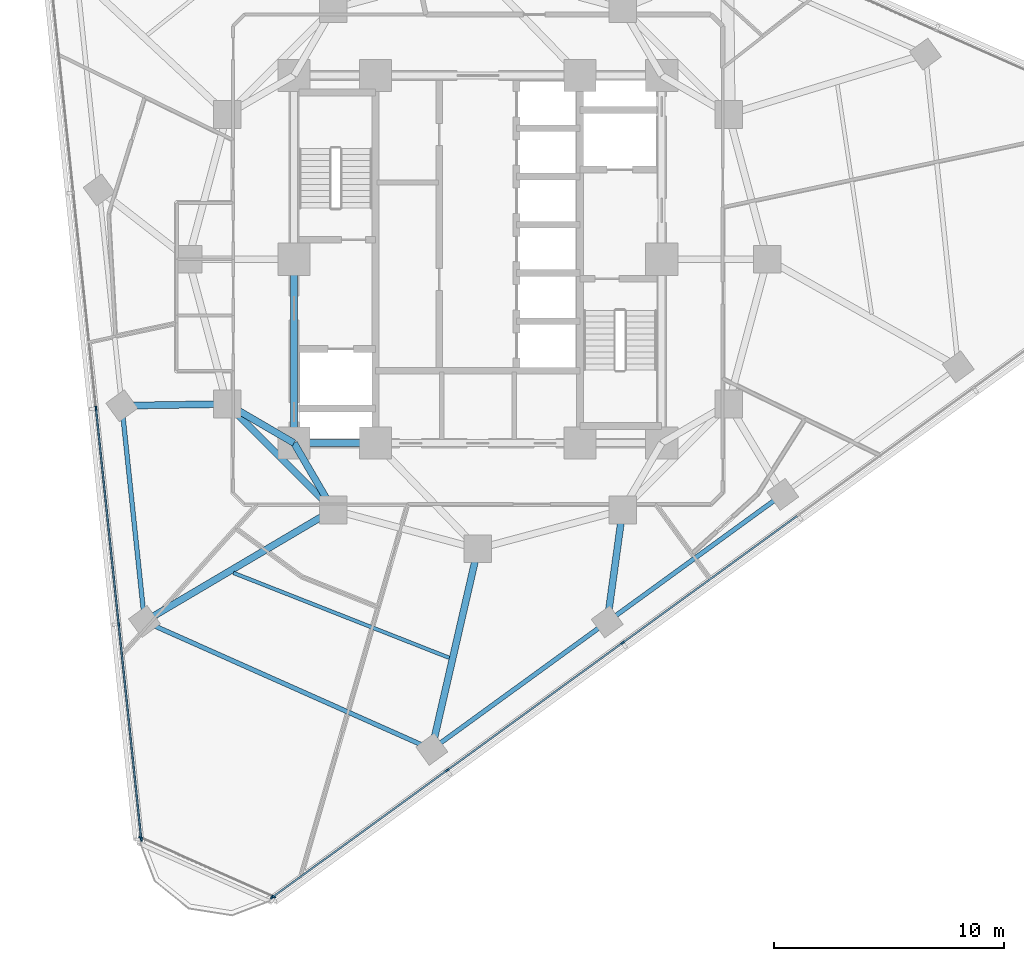
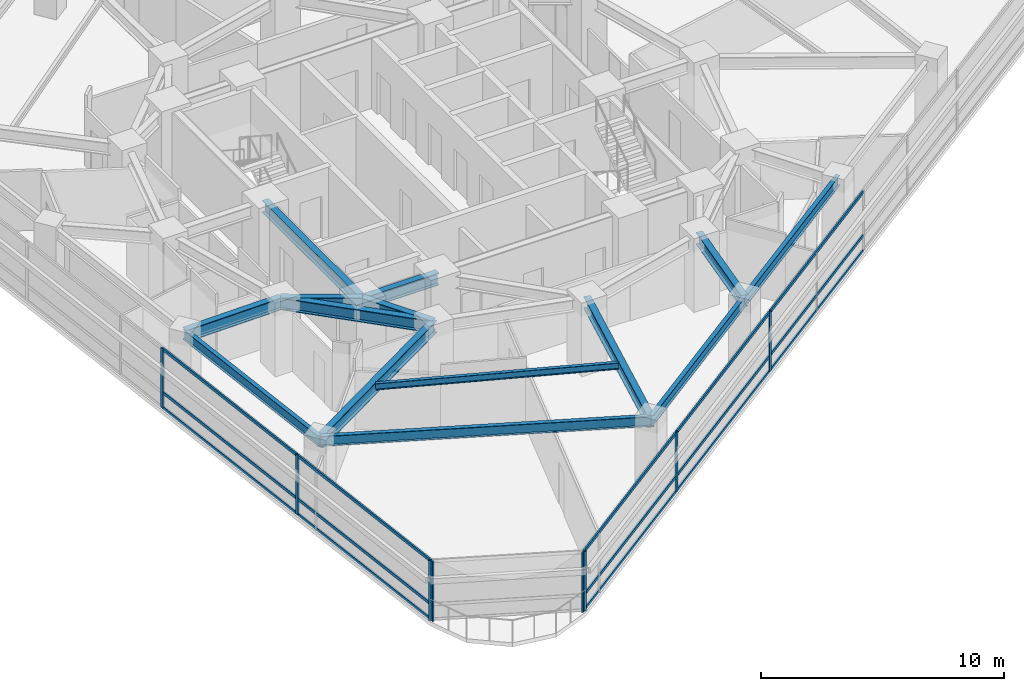
# One storey, part 2 of 14: 23 members, 14 beams, 3 elements without a shape of their own.
"""IFC4 building model written with IfcOpenShell, lengths in metres."""

from ifc_helpers import new_model, si_unit, direction, frame, origin, origin_2d, place, context, subcontext, project, spatial, rectangle, i_section, extrude, material, layer, layer_set, material_profile, profile_set, type_object, element, aggregate, save


model = new_model("IFC4")

# Units and contexts
model_context = context("Model", 3, precision=1e-05, world=origin(), true_north=direction((0.0, 1.0)))
body_context = subcontext(model_context, "Body", "Model", "MODEL_VIEW")
ifc_project = project(units=[si_unit("LENGTHUNIT", "METRE"), si_unit("AREAUNIT", "SQUARE_METRE"), si_unit("VOLUMEUNIT", "CUBIC_METRE"), si_unit("PLANEANGLEUNIT", "RADIAN"), si_unit("MASSUNIT", "GRAM", prefix="KILO")], contexts=[model_context])

# Site, building, storey
site_placement = place(None, origin())
site = spatial("IfcSite", under=ifc_project, at=site_placement, CompositionType="ELEMENT")
building_placement = place(site_placement, origin())
building = spatial("IfcBuilding", under=site, at=building_placement, Name="Terralouvre Media Tower", CompositionType="ELEMENT")
storey_placement = place(building_placement, frame((0.0, 0.0, 173.10009765625)))
storey = spatial("IfcBuildingStorey", under=building, at=storey_placement, Name="L44", CompositionType="ELEMENT", Elevation=173.10009765625)

# Beam
ifc_material_1 = material(Name="Structural steel S355J2", Category="steel")
ifc_material_profile_1 = material_profile(ifc_material_1, i_section(OverallWidth=0.159912109375, OverallDepth=0.330078125, WebThickness=0.007568359375, FlangeThickness=0.011474609375, at=origin_2d()), Name="IPE 330")
ifc_profile_set_1 = profile_set([ifc_material_profile_1], Name="Structural steel S355J2")
beam_type_1 = type_object("IfcBeamType", Name="Composite Floor Joist J-IPE330 (IPE 330)", PredefinedType="JOIST", material=ifc_profile_set_1)
beam_1_placement = place(storey_placement, frame((-10.638916015625, -13.648681640625, 3.3349609375), z_axis=(0.93055150024, -0.366161037525, 0.0), x_axis=(0.366161037525, 0.93055150024, 0.0)))
element("IfcBeam", 1, at=beam_1_placement, inside=storey, type_object=beam_type_1, Name="L44 Framing Beam JT-L44-01", PredefinedType="JOIST", context=body_context, shape_type="SweptSolid", body=[
    extrude(i_section(OverallWidth=0.159912109375, OverallDepth=0.330078125, WebThickness=0.007568359375, FlangeThickness=0.011474609375, at=origin_2d()), origin(), (0.0, 0.0, 1.0), 10.0966796875),
])

# Curtain wall, members
ifc_material_2 = material(Name="Low-iron laminated double glazing with solar-control coating", Category="glass")
ifc_layer_1 = layer(ifc_material_2, 0.1650390625, Name="Production Studio Tower Curtain Wall CW-03")
ifc_layer_set_1 = layer_set([ifc_layer_1], Name="Low-iron laminated double glazing with solar-control coating")
curtain_wall_type_1 = type_object("IfcCurtainWallType", Name="Production Studio Tower Curtain Wall CW-03", PredefinedType="NOTDEFINED", material=ifc_layer_set_1)
curtain_wall_1_placement = place(storey_placement, origin())
curtain_wall_1 = element("IfcCurtainWall", 2, at=curtain_wall_1_placement, inside=storey, type_object=curtain_wall_type_1, Name="L44 Facade Curtain Wall F0", PredefinedType="NOTDEFINED")
ifc_material_3 = material(Name="Anodised extruded aluminium 6063-T6", Category="aluminium")
ifc_material_profile_2 = material_profile(ifc_material_3, rectangle(XDim=0.074951171875, YDim=0.14990234375, at=origin_2d()), Name="ALU 75x150")
ifc_profile_set_2 = profile_set([ifc_material_profile_2], Name="Anodised extruded aluminium 6063-T6")
member_type_1 = type_object("IfcMemberType", Name="Curtain-Wall Horizontal Transom TR-150", PredefinedType="USERDEFINED", material=ifc_profile_set_2)
member_1_placement = place(storey_placement, frame((-8.9189453125, -27.7470703125, 0.037353515625), z_axis=(0.809025744282, 0.58777320889, 0.0), x_axis=(-0.58777320889, 0.809025744282, 0.0)))
member_1 = element("IfcMember", 3, at=member_1_placement, type_object=member_type_1, Name="CW-03 transom 1.1", ObjectType="TRANSOM", PredefinedType="USERDEFINED", context=body_context, shape_type="SweptSolid", body=[
    extrude(rectangle(XDim=0.074951171875, YDim=0.14990234375, at=origin_2d()), origin(), (0.0, 0.0, 1.0), 9.327392578125),
])
member_2_placement = place(storey_placement, frame((-8.9189453125, -27.7470703125, 0.7998046875), z_axis=(0.809025744282, 0.58777320889, 0.0), x_axis=(-0.58777320889, 0.809025744282, 0.0)))
member_2 = element("IfcMember", 4, at=member_2_placement, type_object=member_type_1, Name="CW-03 transom 1.2", ObjectType="TRANSOM", PredefinedType="USERDEFINED", context=body_context, shape_type="SweptSolid", body=[
    extrude(rectangle(XDim=0.074951171875, YDim=0.14990234375, at=origin_2d()), origin(), (0.0, 0.0, 1.0), 9.327392578125),
])
member_3_placement = place(storey_placement, frame((-8.9189453125, -27.7470703125, 2.96240234375), z_axis=(0.809025744282, 0.58777320889, 0.0), x_axis=(-0.58777320889, 0.809025744282, 0.0)))
member_3 = element("IfcMember", 5, at=member_3_placement, type_object=member_type_1, Name="CW-03 transom 1.3", ObjectType="TRANSOM", PredefinedType="USERDEFINED", context=body_context, shape_type="SweptSolid", body=[
    extrude(rectangle(XDim=0.074951171875, YDim=0.14990234375, at=origin_2d()), origin(), (0.0, 0.0, 1.0), 9.327392578125),
])
member_4_placement = place(storey_placement, frame((-1.312255859375, -22.220458984375, 0.037353515625), z_axis=(0.809014443998, 0.587788762569, 0.0), x_axis=(-0.587788762569, 0.809014443998, 0.0)))
member_4 = element("IfcMember", 6, at=member_4_placement, type_object=member_type_1, Name="CW-03 transom 2.1", ObjectType="TRANSOM", PredefinedType="USERDEFINED", context=body_context, shape_type="SweptSolid", body=[
    extrude(rectangle(XDim=0.074951171875, YDim=0.14990234375, at=origin_2d()), origin(), (0.0, 0.0, 1.0), 9.364990234375),
])
member_5_placement = place(storey_placement, frame((-1.312255859375, -22.220458984375, 0.7998046875), z_axis=(0.809014443998, 0.587788762569, 0.0), x_axis=(-0.587788762569, 0.809014443998, 0.0)))
member_5 = element("IfcMember", 7, at=member_5_placement, type_object=member_type_1, Name="CW-03 transom 2.2", ObjectType="TRANSOM", PredefinedType="USERDEFINED", context=body_context, shape_type="SweptSolid", body=[
    extrude(rectangle(XDim=0.074951171875, YDim=0.14990234375, at=origin_2d()), origin(), (0.0, 0.0, 1.0), 9.364990234375),
])
member_6_placement = place(storey_placement, frame((-1.312255859375, -22.220458984375, 2.96240234375), z_axis=(0.809014443998, 0.587788762569, 0.0), x_axis=(-0.587788762569, 0.809014443998, 0.0)))
member_6 = element("IfcMember", 8, at=member_6_placement, type_object=member_type_1, Name="CW-03 transom 2.3", ObjectType="TRANSOM", PredefinedType="USERDEFINED", context=body_context, shape_type="SweptSolid", body=[
    extrude(rectangle(XDim=0.074951171875, YDim=0.14990234375, at=origin_2d()), origin(), (0.0, 0.0, 1.0), 9.364990234375),
])
member_7_placement = place(storey_placement, frame((6.324951171875, -16.671875, 0.037353515625), z_axis=(0.809014443998, 0.587788762569, 0.0), x_axis=(-0.587788762569, 0.809014443998, 0.0)))
member_7 = element("IfcMember", 9, at=member_7_placement, type_object=member_type_1, Name="CW-03 transom 3.1", ObjectType="TRANSOM", PredefinedType="USERDEFINED", context=body_context, shape_type="SweptSolid", body=[
    extrude(rectangle(XDim=0.074951171875, YDim=0.14990234375, at=origin_2d()), origin(), (0.0, 0.0, 1.0), 9.364990234375),
])
member_8_placement = place(storey_placement, frame((6.324951171875, -16.671875, 0.7998046875), z_axis=(0.809014443998, 0.587788762569, 0.0), x_axis=(-0.587788762569, 0.809014443998, 0.0)))
member_8 = element("IfcMember", 10, at=member_8_placement, type_object=member_type_1, Name="CW-03 transom 3.2", ObjectType="TRANSOM", PredefinedType="USERDEFINED", context=body_context, shape_type="SweptSolid", body=[
    extrude(rectangle(XDim=0.074951171875, YDim=0.14990234375, at=origin_2d()), origin(), (0.0, 0.0, 1.0), 9.364990234375),
])
member_9_placement = place(storey_placement, frame((6.324951171875, -16.671875, 2.96240234375), z_axis=(0.809014443998, 0.587788762569, 0.0), x_axis=(-0.587788762569, 0.809014443998, 0.0)))
member_9 = element("IfcMember", 11, at=member_9_placement, type_object=member_type_1, Name="CW-03 transom 3.3", ObjectType="TRANSOM", PredefinedType="USERDEFINED", context=body_context, shape_type="SweptSolid", body=[
    extrude(rectangle(XDim=0.074951171875, YDim=0.14990234375, at=origin_2d()), origin(), (0.0, 0.0, 1.0), 9.364990234375),
])

curtain_wall_2_placement = place(storey_placement, origin())
curtain_wall_2 = element("IfcCurtainWall", 12, at=curtain_wall_2_placement, inside=storey, type_object=curtain_wall_type_1, Name="L44 Facade Curtain Wall F2", PredefinedType="NOTDEFINED")
member_10_placement = place(storey_placement, frame((-16.614013671875, -6.52978515625, 0.037353515625), z_axis=(0.104538223456, -0.994520869483, 0.0), x_axis=(0.994520869483, 0.104538223456, 0.0)))
member_10 = element("IfcMember", 13, at=member_10_placement, type_object=member_type_1, Name="CW-03 transom 4.1", ObjectType="TRANSOM", PredefinedType="USERDEFINED", context=body_context, shape_type="SweptSolid", body=[
    extrude(rectangle(XDim=0.074951171875, YDim=0.14990234375, at=origin_2d()), origin(), (0.0, 0.0, 1.0), 9.364990234375),
])
member_11_placement = place(storey_placement, frame((-16.614013671875, -6.52978515625, 0.7998046875), z_axis=(0.104538223456, -0.994520869483, 0.0), x_axis=(0.994520869483, 0.104538223456, 0.0)))
member_11 = element("IfcMember", 14, at=member_11_placement, type_object=member_type_1, Name="CW-03 transom 4.2", ObjectType="TRANSOM", PredefinedType="USERDEFINED", context=body_context, shape_type="SweptSolid", body=[
    extrude(rectangle(XDim=0.074951171875, YDim=0.14990234375, at=origin_2d()), origin(), (0.0, 0.0, 1.0), 9.364990234375),
])
member_12_placement = place(storey_placement, frame((-16.614013671875, -6.52978515625, 2.96240234375), z_axis=(0.104538223456, -0.994520869483, 0.0), x_axis=(0.994520869483, 0.104538223456, 0.0)))
member_12 = element("IfcMember", 15, at=member_12_placement, type_object=member_type_1, Name="CW-03 transom 4.3", ObjectType="TRANSOM", PredefinedType="USERDEFINED", context=body_context, shape_type="SweptSolid", body=[
    extrude(rectangle(XDim=0.074951171875, YDim=0.14990234375, at=origin_2d()), origin(), (0.0, 0.0, 1.0), 9.364990234375),
])
member_13_placement = place(storey_placement, frame((-15.627197265625, -15.918212890625, 0.037353515625), z_axis=(0.104540358364, -0.994520645071, 0.0), x_axis=(0.994520645071, 0.104540358364, 0.0)))
member_13 = element("IfcMember", 16, at=member_13_placement, type_object=member_type_1, Name="CW-03 transom 5.1", ObjectType="TRANSOM", PredefinedType="USERDEFINED", context=body_context, shape_type="SweptSolid", body=[
    extrude(rectangle(XDim=0.074951171875, YDim=0.14990234375, at=origin_2d()), origin(), (0.0, 0.0, 1.0), 9.327392578125),
])
member_14_placement = place(storey_placement, frame((-15.627197265625, -15.918212890625, 0.7998046875), z_axis=(0.104540358364, -0.994520645071, 0.0), x_axis=(0.994520645071, 0.104540358364, 0.0)))
member_14 = element("IfcMember", 17, at=member_14_placement, type_object=member_type_1, Name="CW-03 transom 5.2", ObjectType="TRANSOM", PredefinedType="USERDEFINED", context=body_context, shape_type="SweptSolid", body=[
    extrude(rectangle(XDim=0.074951171875, YDim=0.14990234375, at=origin_2d()), origin(), (0.0, 0.0, 1.0), 9.327392578125),
])
member_15_placement = place(storey_placement, frame((-15.627197265625, -15.918212890625, 2.96240234375), z_axis=(0.104540358364, -0.994520645071, 0.0), x_axis=(0.994520645071, 0.104540358364, 0.0)))
member_15 = element("IfcMember", 18, at=member_15_placement, type_object=member_type_1, Name="CW-03 transom 5.3", ObjectType="TRANSOM", PredefinedType="USERDEFINED", context=body_context, shape_type="SweptSolid", body=[
    extrude(rectangle(XDim=0.074951171875, YDim=0.14990234375, at=origin_2d()), origin(), (0.0, 0.0, 1.0), 9.327392578125),
])

# Member
ifc_material_4 = material(Name="Anodised extruded aluminium 6063-T6", Category="aluminium")
ifc_material_profile_3 = material_profile(ifc_material_4, rectangle(XDim=0.074951171875, YDim=0.179931640625, at=origin_2d()), Name="ALU 75x180")
ifc_profile_set_3 = profile_set([ifc_material_profile_3], Name="Anodised extruded aluminium 6063-T6")
member_type_2 = type_object("IfcMemberType", Name="Curtain-Wall Vertical Mullion ML-180", PredefinedType="MULLION", material=ifc_profile_set_3)
member_16_placement = place(storey_placement, frame((-8.949462890625, -27.769287109375, 0.0), z_axis=(0.0, 0.0, 1.0), x_axis=(-0.587785358263, 0.809016917383, 0.0)))
member_16 = element("IfcMember", 19, at=member_16_placement, type_object=member_type_2, Name="CW-03 mullion 1", PredefinedType="MULLION", context=body_context, shape_type="SweptSolid", body=[
    extrude(rectangle(XDim=0.074951171875, YDim=0.179931640625, at=origin_2d()), origin(), (0.0, 0.0, 1.0), 3.0),
])

member_17_placement = place(storey_placement, frame((-1.342529296875, -22.24267578125, 0.0), z_axis=(0.0, 0.0, 1.0), x_axis=(-0.587785358263, 0.809016917383, 0.0)))
member_17 = element("IfcMember", 20, at=member_17_placement, type_object=member_type_2, Name="CW-03 mullion 2", PredefinedType="MULLION", context=body_context, shape_type="SweptSolid", body=[
    extrude(rectangle(XDim=0.074951171875, YDim=0.179931640625, at=origin_2d()), origin(), (0.0, 0.0, 1.0), 3.0),
])

member_18_placement = place(storey_placement, frame((6.294677734375, -16.69384765625, 0.0), z_axis=(0.0, 0.0, 1.0), x_axis=(-0.587785358263, 0.809016917383, 0.0)))
member_18 = element("IfcMember", 21, at=member_18_placement, type_object=member_type_2, Name="CW-03 mullion 3", PredefinedType="MULLION", context=body_context, shape_type="SweptSolid", body=[
    extrude(rectangle(XDim=0.074951171875, YDim=0.179931640625, at=origin_2d()), origin(), (0.0, 0.0, 1.0), 3.0),
])

aggregate(curtain_wall_1, [member_16, member_17, member_18, member_1, member_2, member_3, member_4, member_5, member_6, member_7, member_8, member_9])

member_19_placement = place(storey_placement, frame((-16.617919921875, -6.49267578125, 0.0), z_axis=(0.0, 0.0, 1.0), x_axis=(0.994521904516, 0.104528376236, 0.0)))
member_19 = element("IfcMember", 22, at=member_19_placement, type_object=member_type_2, Name="CW-03 mullion 4", PredefinedType="MULLION", context=body_context, shape_type="SweptSolid", body=[
    extrude(rectangle(XDim=0.074951171875, YDim=0.179931640625, at=origin_2d()), origin(), (0.0, 0.0, 1.0), 3.0),
])

member_20_placement = place(storey_placement, frame((-15.631103515625, -15.880859375, 0.0), z_axis=(0.0, 0.0, 1.0), x_axis=(0.994521904516, 0.104528376236, 0.0)))
member_20 = element("IfcMember", 23, at=member_20_placement, type_object=member_type_2, Name="CW-03 mullion 5", PredefinedType="MULLION", context=body_context, shape_type="SweptSolid", body=[
    extrude(rectangle(XDim=0.074951171875, YDim=0.179931640625, at=origin_2d()), origin(), (0.0, 0.0, 1.0), 3.0),
])

member_21_placement = place(storey_placement, frame((-14.648193359375, -25.23193359375, 0.0), z_axis=(0.0, 0.0, 1.0), x_axis=(0.994521904516, 0.104528376236, 0.0)))
member_21 = element("IfcMember", 24, at=member_21_placement, type_object=member_type_2, Name="CW-03 mullion 6", PredefinedType="MULLION", context=body_context, shape_type="SweptSolid", body=[
    extrude(rectangle(XDim=0.074951171875, YDim=0.179931640625, at=origin_2d()), origin(), (0.0, 0.0, 1.0), 3.0),
])

aggregate(curtain_wall_2, [member_19, member_20, member_21, member_10, member_11, member_12, member_13, member_14, member_15])

# Curtain wall, members
ifc_material_5 = material(Name="Low-iron laminated double glazing with solar-control coating", Category="glass")
ifc_layer_2 = layer(ifc_material_5, 0.1650390625, Name="Rounded Wind-Corner Curved Glazing CW-04")
ifc_layer_set_2 = layer_set([ifc_layer_2], Name="Low-iron laminated double glazing with solar-control coating")
curtain_wall_type_2 = type_object("IfcCurtainWallType", Name="Rounded Wind-Corner Curved Glazing CW-04", PredefinedType="NOTDEFINED", material=ifc_layer_set_2)
curtain_wall_3_placement = place(storey_placement, origin())
curtain_wall_3 = element("IfcCurtainWall", 25, at=curtain_wall_3_placement, inside=storey, type_object=curtain_wall_type_2, Name="L44 Rounded Wind-Corner Curtain Wall C0", PredefinedType="NOTDEFINED")
member_22_placement = place(storey_placement, frame((-14.67236328125, -25.169189453125, 0.0), z_axis=(0.0, 0.0, 1.0), x_axis=(0.406736754128, 0.913545408199, 0.0)))
member_22 = element("IfcMember", 26, at=member_22_placement, type_object=member_type_2, Name="CW-04 mullion 1", PredefinedType="MULLION", context=body_context, shape_type="SweptSolid", body=[
    extrude(rectangle(XDim=0.074951171875, YDim=0.179931640625, at=origin_2d()), origin(), (0.0, 0.0, 1.0), 3.0),
])
member_23_placement = place(storey_placement, frame((-8.886474609375, -27.7451171875, 0.0), z_axis=(0.0, 0.0, 1.0), x_axis=(0.406736754128, 0.913545408199, 0.0)))
member_23 = element("IfcMember", 27, at=member_23_placement, type_object=member_type_2, Name="CW-04 mullion 2", PredefinedType="MULLION", context=body_context, shape_type="SweptSolid", body=[
    extrude(rectangle(XDim=0.074951171875, YDim=0.179931640625, at=origin_2d()), origin(), (0.0, 0.0, 1.0), 3.0),
])
aggregate(curtain_wall_3, [member_22, member_23])

# Beams
ifc_material_6 = material(Name="Structural steel S355J2", Category="steel")
ifc_material_profile_4 = material_profile(ifc_material_6, i_section(OverallWidth=0.199951171875, OverallDepth=0.5, WebThickness=0.01025390625, FlangeThickness=0.01611328125, at=origin_2d()), Name="IPE 500")
ifc_profile_set_4 = profile_set([ifc_material_profile_4], Name="Structural steel S355J2")
beam_type_2 = type_object("IfcBeamType", Name="Perimeter Spandrel Beam SPB-500 (IPE 500)", PredefinedType="SPANDREL", material=ifc_profile_set_4)
beam_2_placement = place(storey_placement, frame((-15.494140625, -6.37451171875, 3.25), z_axis=(0.10453669331, -0.994521030321, 0.0), x_axis=(0.994521030321, 0.10453669331, 0.0)))
element("IfcBeam", 28, at=beam_2_placement, inside=storey, type_object=beam_type_2, Name="L44 Framing Beam BM-L44-PR01", PredefinedType="SPANDREL", context=body_context, shape_type="SweptSolid", body=[
    extrude(i_section(OverallWidth=0.199951171875, OverallDepth=0.5, WebThickness=0.01025390625, FlangeThickness=0.01611328125, at=origin_2d()), origin(), (0.0, 0.0, 1.0), 9.43994140625),
])
beam_3_placement = place(storey_placement, frame((-14.50732421875, -15.7626953125, 3.25), z_axis=(0.913542800127, -0.4067426119, 0.0), x_axis=(0.4067426119, 0.913542800127, 0.0)))
element("IfcBeam", 29, at=beam_3_placement, inside=storey, type_object=beam_type_2, Name="L44 Framing Beam BM-L44-PR02", PredefinedType="SPANDREL", context=body_context, shape_type="SweptSolid", body=[
    extrude(i_section(OverallWidth=0.199951171875, OverallDepth=0.5, WebThickness=0.01025390625, FlangeThickness=0.01611328125, at=origin_2d()), origin(), (0.0, 0.0, 1.0), 13.68359375),
])
beam_4_placement = place(storey_placement, frame((-2.0068359375, -21.328369140625, 3.25), z_axis=(0.809025644413, 0.587773346352, 0.0), x_axis=(-0.587773346352, 0.809025644413, 0.0)))
element("IfcBeam", 30, at=beam_4_placement, inside=storey, type_object=beam_type_2, Name="L44 Framing Beam BM-L44-PR03", PredefinedType="SPANDREL", context=body_context, shape_type="SweptSolid", body=[
    extrude(i_section(OverallWidth=0.199951171875, OverallDepth=0.5, WebThickness=0.01025390625, FlangeThickness=0.01611328125, at=origin_2d()), origin(), (0.0, 0.0, 1.0), 9.43994140625),
])
beam_5_placement = place(storey_placement, frame((5.63037109375, -15.77978515625, 3.25), z_axis=(0.809013346268, 0.587790273448, 0.0), x_axis=(-0.587790273448, 0.809013346268, 0.0)))
element("IfcBeam", 31, at=beam_5_placement, inside=storey, type_object=beam_type_2, Name="L44 Framing Beam BM-L44-PR04", PredefinedType="SPANDREL", context=body_context, shape_type="SweptSolid", body=[
    extrude(i_section(OverallWidth=0.199951171875, OverallDepth=0.5, WebThickness=0.01025390625, FlangeThickness=0.01611328125, at=origin_2d()), origin(), (0.0, 0.0, 1.0), 9.440185546875),
])
ifc_material_7 = material(Name="Structural steel S460M", Category="steel")
ifc_material_profile_5 = material_profile(ifc_material_7, i_section(OverallWidth=0.300048828125, OverallDepth=0.60009765625, WebThickness=0.015380859375, FlangeThickness=0.030029296875, at=origin_2d()), Name="HEB 600")
ifc_profile_set_5 = profile_set([ifc_material_profile_5], Name="Structural steel S460M")
beam_type_3 = type_object("IfcBeamType", Name="Primary Floor Girder B-HEB600 (HEB 600)", PredefinedType="BEAM", material=ifc_profile_set_5)
beam_6_placement = place(storey_placement, frame((-8.0, -8.0, 3.199951171875), z_axis=(1.0, 0.0, 0.0), x_axis=(0.0, 1.0, 0.0)))
element("IfcBeam", 32, at=beam_6_placement, inside=storey, type_object=beam_type_3, Name="L44 Framing Beam BM-L44-CPR01", PredefinedType="BEAM", context=body_context, shape_type="SweptSolid", body=[
    extrude(i_section(OverallWidth=0.300048828125, OverallDepth=0.60009765625, WebThickness=0.015380859375, FlangeThickness=0.030029296875, at=origin_2d()), origin(), (0.0, 0.0, 1.0), 3.550048828125),
])
beam_7_placement = place(storey_placement, frame((-8.0, 0.0, 3.199951171875), z_axis=(0.0, -1.0, 0.0), x_axis=(1.0, 0.0, 0.0)))
element("IfcBeam", 33, at=beam_7_placement, inside=storey, type_object=beam_type_3, Name="L44 Framing Beam BM-L44-CPR10", PredefinedType="BEAM", context=body_context, shape_type="SweptSolid", body=[
    extrude(i_section(OverallWidth=0.300048828125, OverallDepth=0.60009765625, WebThickness=0.015380859375, FlangeThickness=0.030029296875, at=origin_2d()), origin(), (0.0, 0.0, 1.0), 8.0),
])
beam_8_placement = place(storey_placement, frame((-10.911865234375, -6.300048828125, 3.199951171875), z_axis=(0.707106781187, -0.707106781187, 0.0), x_axis=(0.707106781187, 0.707106781187, 0.0)))
element("IfcBeam", 34, at=beam_8_placement, inside=storey, type_object=beam_type_3, Name="L44 Framing Beam BM-L44-MR01", PredefinedType="BEAM", context=body_context, shape_type="SweptSolid", body=[
    extrude(i_section(OverallWidth=0.300048828125, OverallDepth=0.60009765625, WebThickness=0.015380859375, FlangeThickness=0.030029296875, at=origin_2d()), origin(), (0.0, 0.0, 1.0), 6.52197265625),
])
for number, where, z_axis, x_axis, name in (
    (35, (-8.0, -8.0, 3.199951171875), (-0.863602894532, 0.504172629717, 0.0), (-0.504172629717, -0.863602894532, 0.0), "L44 Framing Beam BM-L44-CM01"),
    (36, (-8.0, -8.0, 3.199951171875), (0.504172629717, -0.863602894532, 0.0), (0.863602894532, 0.504172629717, 0.0), "L44 Framing Beam BM-L44-CM02"),
):
    element("IfcBeam", number, at=place(storey_placement, frame(where, z_axis=z_axis, x_axis=x_axis)), inside=storey, type_object=beam_type_3, Name=name, PredefinedType="BEAM", context=body_context, shape_type="SweptSolid", body=[
        extrude(i_section(OverallWidth=0.300048828125, OverallDepth=0.60009765625, WebThickness=0.015380859375, FlangeThickness=0.030029296875, at=origin_2d()), origin(), (0.0, 0.0, 1.0), 3.371826171875),
    ])
beam_9_placement = place(storey_placement, frame((-10.911865234375, -6.300048828125, 3.199951171875), z_axis=(-0.999867991647, -0.016248054635, 0.0), x_axis=(0.016248054635, -0.999867991647, 0.0)))
element("IfcBeam", 37, at=beam_9_placement, inside=storey, type_object=beam_type_3, Name="L44 Framing Beam BM-L44-RD01", PredefinedType="BEAM", context=body_context, shape_type="SweptSolid", body=[
    extrude(i_section(OverallWidth=0.300048828125, OverallDepth=0.60009765625, WebThickness=0.015380859375, FlangeThickness=0.030029296875, at=origin_2d()), origin(), (0.0, 0.0, 1.0), 4.582763671875),
])
beam_10_placement = place(storey_placement, frame((-6.300048828125, -10.911865234375, 3.199951171875), z_axis=(-0.86087707212, -0.508812997768, 0.0), x_axis=(0.508812997768, -0.86087707212, 0.0)))
element("IfcBeam", 38, at=beam_10_placement, inside=storey, type_object=beam_type_3, Name="L44 Framing Beam BM-L44-RD02", PredefinedType="BEAM", context=body_context, shape_type="SweptSolid", body=[
    extrude(i_section(OverallWidth=0.300048828125, OverallDepth=0.60009765625, WebThickness=0.015380859375, FlangeThickness=0.030029296875, at=origin_2d()), origin(), (0.0, 0.0, 1.0), 9.53369140625),
])
beam_11_placement = place(storey_placement, frame((0.0, -12.60009765625, 3.199951171875), z_axis=(-0.224077011605, -0.974571440619, 0.0), x_axis=(0.974571440619, -0.224077011605, 0.0)))
element("IfcBeam", 39, at=beam_11_placement, inside=storey, type_object=beam_type_3, Name="L44 Framing Beam BM-L44-RD03", PredefinedType="BEAM", context=body_context, shape_type="SweptSolid", body=[
    extrude(i_section(OverallWidth=0.300048828125, OverallDepth=0.60009765625, WebThickness=0.015380859375, FlangeThickness=0.030029296875, at=origin_2d()), origin(), (0.0, 0.0, 1.0), 8.9560546875),
])
beam_12_placement = place(storey_placement, frame((6.300048828125, -10.911865234375, 3.199951171875), z_axis=(-0.136285998947, -0.990669534452, 0.0), x_axis=(0.990669534452, -0.136285998947, 0.0)))
element("IfcBeam", 40, at=beam_12_placement, inside=storey, type_object=beam_type_3, Name="L44 Framing Beam BM-L44-RD04", PredefinedType="BEAM", context=body_context, shape_type="SweptSolid", body=[
    extrude(i_section(OverallWidth=0.300048828125, OverallDepth=0.60009765625, WebThickness=0.015380859375, FlangeThickness=0.030029296875, at=origin_2d()), origin(), (0.0, 0.0, 1.0), 4.913818359375),
])

save(model, "model.ifc")
